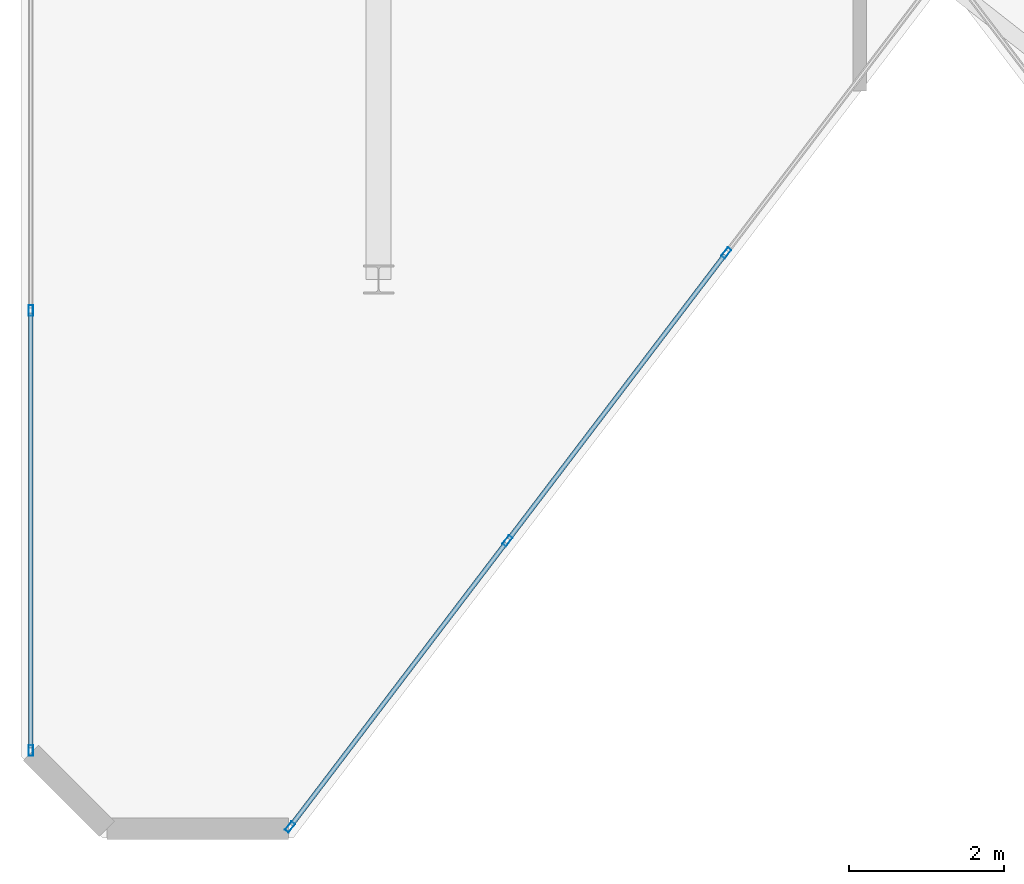
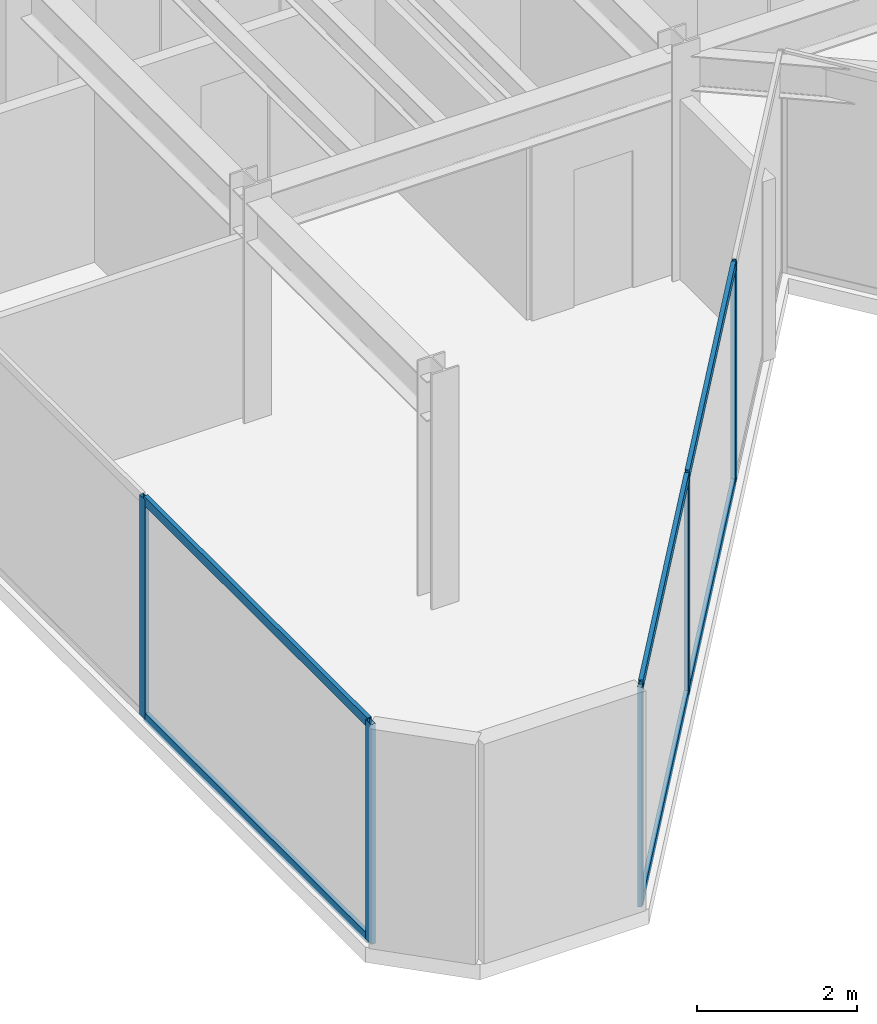
# One storey, part 2 of 16: 11 members, 2 elements without a shape of their own.
"""IFC4 building model written with IfcOpenShell, lengths in metres."""

import ifcopenshell
import ifcopenshell.guid

model = None  # the IFC model being written
_history = None  # IfcOwnerHistory: only IFC2X3 demands one
_inside = {}  # id of a spatial element -> (the spatial element, [elements in it])
_under = {}  # id of a project, library or spatial element -> (it, [spatial elements below it])
_declared = {}  # id of a project -> (the project, [libraries it declares])
_typed = {}  # id of a type object -> (the type object, [elements of that type])
_made_of = {}  # id of a material, layer set ... -> (it, [elements and type objects made of it])


def new_model(schema):
    """Start an empty IFC model of exactly this schema.

    Asked for "IFC4X3", IfcOpenShell would pick the latest addendum, in which some entities
    have other attributes; the version numbers below select the first issue.
    IFC2X3 requires an IfcOwnerHistory on every rooted entity: one is made here for all.
    """
    global model, _history
    if schema == "IFC4X3":
        model = ifcopenshell.file(schema_version=(4, 3, 0, 0))
    else:
        model = ifcopenshell.file(schema=schema)
    _inside.clear()
    _under.clear()
    _declared.clear()
    _typed.clear()
    _made_of.clear()
    _history = None
    if model.schema == "IFC2X3":
        org = make("IfcOrganization", Name="unknown")
        user = make(
            "IfcPersonAndOrganization",
            ThePerson=make("IfcPerson", FamilyName="unknown"),
            TheOrganization=org,
        )
        app = make(
            "IfcApplication",
            ApplicationDeveloper=org,
            Version="unknown",
            ApplicationFullName="unknown",
            ApplicationIdentifier="unknown",
        )
        _history = make(
            "IfcOwnerHistory",
            OwningUser=user,
            OwningApplication=app,
            ChangeAction="ADDED",
            CreationDate=0,
        )
    return model


def make(cls, **values):
    """One entity of the class cls with the attributes given. An attribute that is None is left unset."""
    return model.create_entity(
        cls, **{name: value for name, value in values.items() if value is not None}
    )


def rooted(cls, **values):
    """An entity with a GlobalId (a new one), such as an element, a storey or a relation."""
    return make(cls, GlobalId=ifcopenshell.guid.new(), OwnerHistory=_history, **values)


def si_unit(unit_type, name, prefix=None):
    """IfcSIUnit, for example si_unit("LENGTHUNIT", "METRE", prefix="MILLI")."""
    return make("IfcSIUnit", UnitType=unit_type, Prefix=prefix, Name=name)


def assignment(units):
    """IfcUnitAssignment: the units of a project."""
    return None if units is None else make("IfcUnitAssignment", Units=units)


def point(xyz):
    """IfcCartesianPoint."""
    return None if xyz is None else make("IfcCartesianPoint", Coordinates=xyz)


def direction(xyz):
    """IfcDirection."""
    return None if xyz is None else make("IfcDirection", DirectionRatios=xyz)


def frame(location, z_axis=None, x_axis=None):
    """IfcAxis2Placement3D, a coordinate frame: its origin and axes. An axis left out is left unset."""
    return make(
        "IfcAxis2Placement3D",
        Location=point(location),
        Axis=direction(z_axis),
        RefDirection=direction(x_axis),
    )


def frame_2d(location, x_axis=None):
    """IfcAxis2Placement2D, a coordinate frame in the plane: its origin and x axis."""
    return make(
        "IfcAxis2Placement2D", Location=point(location), RefDirection=direction(x_axis)
    )


def origin():
    """The frame at (0, 0, 0) with its axes left unset."""
    return frame((0.0, 0.0, 0.0))


def origin_2d():
    """The frame at (0, 0) in the plane with its x axis left unset."""
    return frame_2d((0.0, 0.0))


def place(relative_to, where):
    """IfcLocalPlacement: puts the frame where relative to a parent placement (None: the world)."""
    return make(
        "IfcLocalPlacement", PlacementRelTo=relative_to, RelativePlacement=where
    )


def context(
    kind, dimensions, precision=None, world=None, true_north=None, identifier=None
):
    """IfcGeometricRepresentationContext, for example the 3D "Model" context."""
    return make(
        "IfcGeometricRepresentationContext",
        ContextIdentifier=identifier,
        ContextType=kind,
        CoordinateSpaceDimension=dimensions,
        Precision=precision,
        WorldCoordinateSystem=world,
        TrueNorth=true_north,
    )


def subcontext(parent, identifier, kind, view, scale=None):
    """IfcGeometricRepresentationSubContext, for example "Body" below "Model"."""
    return make(
        "IfcGeometricRepresentationSubContext",
        ContextIdentifier=identifier,
        ContextType=kind,
        ParentContext=parent,
        TargetScale=scale,
        TargetView=view,
    )


def project(units=None, contexts=None):
    """IfcProject with its units and contexts."""
    return rooted(
        "IfcProject",
        Name="project",
        RepresentationContexts=contexts,
        UnitsInContext=assignment(units),
    )


def spatial(cls, under=None, at=None, **own):
    """A site, building, storey or space (cls), placed at a placement, below another one or the project."""
    s = rooted(cls, ObjectPlacement=at, **own)
    if under is not None:
        _under.setdefault(under.id(), (under, []))[1].append(s)
    return s


def profile(cls, at=None, kind="AREA", **sizes):
    """A parametric profile (cls). Its sizes go by their IFC names, for example OverallWidth=200.0."""
    return make(cls, ProfileType=kind, Position=at, **sizes)


def hollow_rectangle(**sizes):
    """IfcRectangleHollowProfileDef."""
    return profile("IfcRectangleHollowProfileDef", **sizes)


def extrude(swept, where, along, depth):
    """IfcExtrudedAreaSolid: the profile swept, set in the frame where, extruded along a direction by depth."""
    return make(
        "IfcExtrudedAreaSolid",
        SweptArea=swept,
        Position=where,
        ExtrudedDirection=direction(along),
        Depth=depth,
    )


def shape(context_of_items, identifier, shape_type, items):
    """IfcShapeRepresentation: the items that make up one representation, for example the "Body"."""
    return make(
        "IfcShapeRepresentation",
        ContextOfItems=context_of_items,
        RepresentationIdentifier=identifier,
        RepresentationType=shape_type,
        Items=items,
    )


def material(Name=None, Category=None):
    """IfcMaterial."""
    return make("IfcMaterial", Name=Name, Category=Category)


def layer(
    of_material, thickness, ventilated=None, Name=None, Category=None, Priority=None
):
    """IfcMaterialLayer: one layer of a wall or slab, of a material (None: an air gap)."""
    return make(
        "IfcMaterialLayer",
        Material=of_material,
        LayerThickness=thickness,
        IsVentilated=ventilated,
        Name=Name,
        Category=Category,
        Priority=Priority,
    )


def layer_set(layers, Name=None):
    """IfcMaterialLayerSet."""
    return make("IfcMaterialLayerSet", MaterialLayers=layers, LayerSetName=Name)


def material_profile(
    of_material, cross_section, Name=None, Category=None, Priority=None
):
    """IfcMaterialProfile: a cross section and its material."""
    return make(
        "IfcMaterialProfile",
        Name=Name,
        Material=of_material,
        Profile=cross_section,
        Priority=Priority,
        Category=Category,
    )


def profile_set(profiles, Name=None, composite=None):
    """IfcMaterialProfileSet."""
    return make(
        "IfcMaterialProfileSet",
        Name=Name,
        MaterialProfiles=profiles,
        CompositeProfile=composite,
    )


def made_of(thing, what):
    """Note that an element or type object is made of a material, layer set ...; save() writes the relation."""
    if what is not None:
        _made_of.setdefault(what.id(), (what, []))[1].append(thing)
    return thing


def type_object(cls, material=None, **own):
    """A type object (cls), such as IfcWallType, which elements share."""
    return made_of(rooted(cls, **own), material)


def element(
    cls,
    number,
    at=None,
    inside=None,
    cuts=None,
    type_object=None,
    material=None,
    context=None,
    identifier="Body",
    shape_type=None,
    held_by="IfcProductDefinitionShape",
    body=None,
    shapes=None,
    **own,
):
    """One element of the class cls, such as IfcWall. Its Tag is "e" and its number.

    at: its placement. inside: the storey or other place that contains it. cuts: it is an
    opening in that element (IfcRelVoidsElement). A single representation is given by context,
    identifier, shape_type and body (its items); several are given by shapes. held_by: the class
    of the entity that holds the representations. save() writes the other relations.
    """
    e = rooted(cls, Tag="e%d" % number, ObjectPlacement=at, **own)
    if body is not None:
        shapes = [shape(context, identifier, shape_type, body)]
    if shapes is not None:
        e.Representation = make(held_by, Representations=shapes)
    if inside is not None:
        _inside.setdefault(inside.id(), (inside, []))[1].append(e)
    if cuts is not None:
        rooted(
            "IfcRelVoidsElement", RelatingBuildingElement=cuts, RelatedOpeningElement=e
        )
    if type_object is not None:
        _typed.setdefault(type_object.id(), (type_object, []))[1].append(e)
    return made_of(e, material)


def aggregate(whole, parts):
    """IfcRelAggregates: a whole, such as a stair, and the parts it consists of."""
    return rooted("IfcRelAggregates", RelatingObject=whole, RelatedObjects=parts)


def save(model, path):
    """Write the relations noted so far, then the file.

    IfcRelAggregates (storeys below a building ...), IfcRelContainedInSpatialStructure (elements
    in a storey), IfcRelDefinesByType, IfcRelAssociatesMaterial and IfcRelDeclares: one each for
    every whole, place, type object, material and project.
    """
    for whole, parts in _under.values():
        aggregate(whole, parts)
    for where, things in _inside.values():
        rooted(
            "IfcRelContainedInSpatialStructure",
            RelatedElements=things,
            RelatingStructure=where,
        )
    for kind, things in _typed.values():
        rooted("IfcRelDefinesByType", RelatedObjects=things, RelatingType=kind)
    for what, things in _made_of.values():
        rooted("IfcRelAssociatesMaterial", RelatedObjects=things, RelatingMaterial=what)
    for by, libraries in _declared.values():
        rooted("IfcRelDeclares", RelatingContext=by, RelatedDefinitions=libraries)
    model.write(path)


model = new_model("IFC4")

# Units and contexts
model_context = context("Model", 3, precision=1e-05, world=origin(), true_north=direction((0.0, 1.0)))
body_context = subcontext(model_context, "Body", "Model", "MODEL_VIEW")
ifc_project = project(units=[si_unit("LENGTHUNIT", "METRE"), si_unit("AREAUNIT", "SQUARE_METRE"), si_unit("VOLUMEUNIT", "CUBIC_METRE"), si_unit("PLANEANGLEUNIT", "RADIAN"), si_unit("MASSUNIT", "GRAM", prefix="KILO")], contexts=[model_context])

# Site, building, storey
site_placement = place(None, origin())
site = spatial("IfcSite", under=ifc_project, at=site_placement, CompositionType="ELEMENT")
building_placement = place(site_placement, origin())
building = spatial("IfcBuilding", under=site, at=building_placement, Name="Kravanh Interchange Tower", CompositionType="ELEMENT")
storey_placement = place(building_placement, frame((0.0, 0.0, 300.300048828125)))
storey = spatial("IfcBuildingStorey", under=building, at=storey_placement, Name="L74", CompositionType="ELEMENT", Elevation=300.300048828125)

# Curtain wall, members
ifc_material_1 = material(Name="Anodised Bronze Aluminium", Category="aluminium")
ifc_layer = layer(ifc_material_1, 0.179931640625)
ifc_layer_set = layer_set([ifc_layer], Name="Unitised Curtain Wall System CW-HTL Luxury Hotel")
curtain_wall_type = type_object("IfcCurtainWallType", Name="Unitised Curtain Wall System CW-HTL Luxury Hotel", PredefinedType="NOTDEFINED", material=ifc_layer_set)
curtain_wall_1_placement = place(storey_placement, origin())
curtain_wall_1 = element("IfcCurtainWall", 1, at=curtain_wall_1_placement, inside=storey, type_object=curtain_wall_type, Name="L74 Unitised Curtain Wall CW-L74-01", PredefinedType="NOTDEFINED")
ifc_material_2 = material(Name="Anodised Bronze Aluminium", Category="aluminium")
ifc_material_profile_1 = material_profile(ifc_material_2, hollow_rectangle(XDim=0.06005859375, YDim=0.139892578125, WallThickness=0.00390625, at=origin_2d()), Name="ALU60X140X4")
ifc_profile_set_1 = profile_set([ifc_material_profile_1], Name="Anodised Bronze Aluminium")
member_type_1 = type_object("IfcMemberType", Name="Curtain Wall Mullion ALU60X140X4 Bronze", PredefinedType="MULLION", material=ifc_profile_set_1)
member_1_placement = place(storey_placement, frame((34.1201171875, 20.729736328125, 0.0), z_axis=(0.0, 0.0, 1.0), x_axis=(-1.0, 0.0, 0.0)))
member_1 = element("IfcMember", 2, at=member_1_placement, type_object=member_type_1, Name="CW-HTL mullion 1", PredefinedType="MULLION", context=body_context, shape_type="SweptSolid", body=[
    extrude(hollow_rectangle(XDim=0.06005859375, YDim=0.139892578125, WallThickness=0.00390625, at=origin_2d()), origin(), (0.0, 0.0, 1.0), 3.364990234375),
])
member_2_placement = place(storey_placement, frame((34.1201171875, 26.39990234375, 0.0), z_axis=(0.0, 0.0, 1.0), x_axis=(-1.0, 0.0, 0.0)))
member_2 = element("IfcMember", 3, at=member_2_placement, type_object=member_type_1, Name="CW-HTL mullion 2", PredefinedType="MULLION", context=body_context, shape_type="SweptSolid", body=[
    extrude(hollow_rectangle(XDim=0.06005859375, YDim=0.139892578125, WallThickness=0.00390625, at=origin_2d()), origin(), (0.0, 0.0, 1.0), 3.364990234375),
])

curtain_wall_2_placement = place(storey_placement, origin())
curtain_wall_2 = element("IfcCurtainWall", 4, at=curtain_wall_2_placement, inside=storey, type_object=curtain_wall_type, Name="L74 Unitised Curtain Wall CW-L74-05", PredefinedType="NOTDEFINED")
member_3_placement = place(storey_placement, frame((43.080078125, 27.140625, 0.0), z_axis=(0.0, 0.0, 1.0), x_axis=(0.796161642797, -0.605083992962, 0.0)))
member_3 = element("IfcMember", 5, at=member_3_placement, type_object=member_type_1, Name="CW-HTL mullion 2", PredefinedType="MULLION", context=body_context, shape_type="SweptSolid", body=[
    extrude(hollow_rectangle(XDim=0.06005859375, YDim=0.139892578125, WallThickness=0.00390625, at=origin_2d()), origin(), (0.0, 0.0, 1.0), 3.364990234375),
])
member_4_placement = place(storey_placement, frame((40.26025390625, 23.430419921875, 0.0), z_axis=(0.0, 0.0, 1.0), x_axis=(0.796161642797, -0.605083992962, 0.0)))
member_4 = element("IfcMember", 6, at=member_4_placement, type_object=member_type_1, Name="CW-HTL mullion 3", PredefinedType="MULLION", context=body_context, shape_type="SweptSolid", body=[
    extrude(hollow_rectangle(XDim=0.06005859375, YDim=0.139892578125, WallThickness=0.00390625, at=origin_2d()), origin(), (0.0, 0.0, 1.0), 3.364990234375),
])
member_5_placement = place(storey_placement, frame((37.458740234375, 19.743896484375, 0.0), z_axis=(0.0, 0.0, 1.0), x_axis=(0.796161642797, -0.605083992962, 0.0)))
member_5 = element("IfcMember", 7, at=member_5_placement, type_object=member_type_1, Name="CW-HTL mullion 4", PredefinedType="MULLION", context=body_context, shape_type="SweptSolid", body=[
    extrude(hollow_rectangle(XDim=0.06005859375, YDim=0.139892578125, WallThickness=0.00390625, at=origin_2d()), origin(), (0.0, 0.0, 1.0), 3.364990234375),
])

# Member
ifc_material_3 = material(Name="Anodised Bronze Aluminium", Category="aluminium")
ifc_material_profile_2 = material_profile(ifc_material_3, hollow_rectangle(XDim=0.06005859375, YDim=0.139892578125, WallThickness=0.00390625, at=origin_2d()), Name="ALU60X140X4")
ifc_profile_set_2 = profile_set([ifc_material_profile_2], Name="Anodised Bronze Aluminium")
member_type_2 = type_object("IfcMemberType", Name="Curtain Wall Transom ALU60X140X4 Bronze", PredefinedType="USERDEFINED", material=ifc_profile_set_2)
member_6_placement = place(storey_placement, frame((34.1201171875, 20.759765625, 0.030029296875), z_axis=(0.0, 1.0, 0.0), x_axis=(-1.0, 0.0, 0.0)))
member_6 = element("IfcMember", 8, at=member_6_placement, type_object=member_type_2, Name="CW-HTL transom 1.1", ObjectType="TRANSOM", PredefinedType="USERDEFINED", context=body_context, shape_type="SweptSolid", body=[
    extrude(hollow_rectangle(XDim=0.06005859375, YDim=0.139892578125, WallThickness=0.00390625, at=origin_2d()), origin(), (0.0, 0.0, 1.0), 5.610107421875),
])

member_7_placement = place(storey_placement, frame((34.1201171875, 20.759765625, 3.3349609375), z_axis=(0.0, 1.0, 0.0), x_axis=(-1.0, 0.0, 0.0)))
member_7 = element("IfcMember", 9, at=member_7_placement, type_object=member_type_2, Name="CW-HTL transom 1.2", ObjectType="TRANSOM", PredefinedType="USERDEFINED", context=body_context, shape_type="SweptSolid", body=[
    extrude(hollow_rectangle(XDim=0.06005859375, YDim=0.139892578125, WallThickness=0.00390625, at=origin_2d()), origin(), (0.0, 0.0, 1.0), 5.610107421875),
])

aggregate(curtain_wall_1, [member_1, member_2, member_6, member_7])

member_8_placement = place(storey_placement, frame((43.06201171875, 27.11669921875, 0.030029296875), z_axis=(-0.605065774315, -0.796175488666, 0.0), x_axis=(0.796175488666, -0.605065774315, 0.0)))
member_8 = element("IfcMember", 10, at=member_8_placement, type_object=member_type_2, Name="CW-HTL transom 2.1", ObjectType="TRANSOM", PredefinedType="USERDEFINED", context=body_context, shape_type="SweptSolid", body=[
    extrude(hollow_rectangle(XDim=0.06005859375, YDim=0.139892578125, WallThickness=0.00390625, at=origin_2d()), origin(), (0.0, 0.0, 1.0), 4.600341796875),
])

member_9_placement = place(storey_placement, frame((43.06201171875, 27.11669921875, 3.3349609375), z_axis=(-0.605065774315, -0.796175488666, 0.0), x_axis=(0.796175488666, -0.605065774315, 0.0)))
member_9 = element("IfcMember", 11, at=member_9_placement, type_object=member_type_2, Name="CW-HTL transom 2.2", ObjectType="TRANSOM", PredefinedType="USERDEFINED", context=body_context, shape_type="SweptSolid", body=[
    extrude(hollow_rectangle(XDim=0.06005859375, YDim=0.139892578125, WallThickness=0.00390625, at=origin_2d()), origin(), (0.0, 0.0, 1.0), 4.600341796875),
])

member_10_placement = place(storey_placement, frame((40.2421875, 23.406494140625, 0.030029296875), z_axis=(-0.605081913085, -0.796163223502, 0.0), x_axis=(0.796163223502, -0.605081913085, 0.0)))
member_10 = element("IfcMember", 12, at=member_10_placement, type_object=member_type_2, Name="CW-HTL transom 3.1", ObjectType="TRANSOM", PredefinedType="USERDEFINED", context=body_context, shape_type="SweptSolid", body=[
    extrude(hollow_rectangle(XDim=0.06005859375, YDim=0.139892578125, WallThickness=0.00390625, at=origin_2d()), origin(), (0.0, 0.0, 1.0), 4.5703125),
])

member_11_placement = place(storey_placement, frame((40.2421875, 23.406494140625, 3.3349609375), z_axis=(-0.605081913085, -0.796163223502, 0.0), x_axis=(0.796163223502, -0.605081913085, 0.0)))
member_11 = element("IfcMember", 13, at=member_11_placement, type_object=member_type_2, Name="CW-HTL transom 3.2", ObjectType="TRANSOM", PredefinedType="USERDEFINED", context=body_context, shape_type="SweptSolid", body=[
    extrude(hollow_rectangle(XDim=0.06005859375, YDim=0.139892578125, WallThickness=0.00390625, at=origin_2d()), origin(), (0.0, 0.0, 1.0), 4.5703125),
])

aggregate(curtain_wall_2, [member_3, member_4, member_5, member_8, member_9, member_10, member_11])

save(model, "model.ifc")
